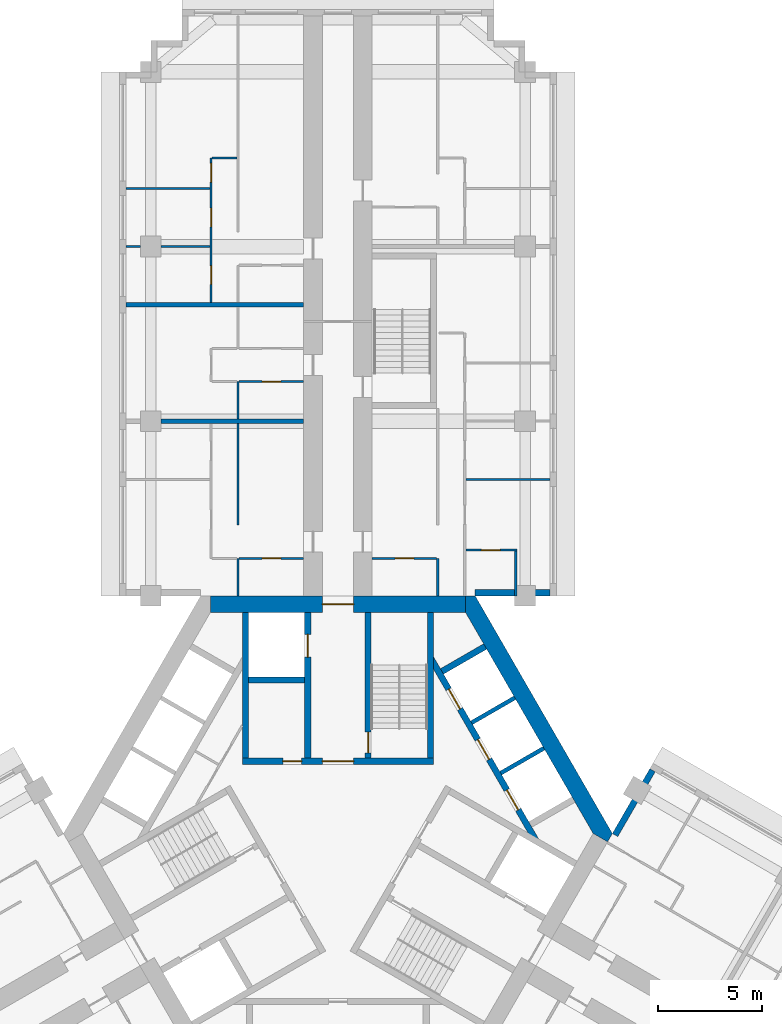
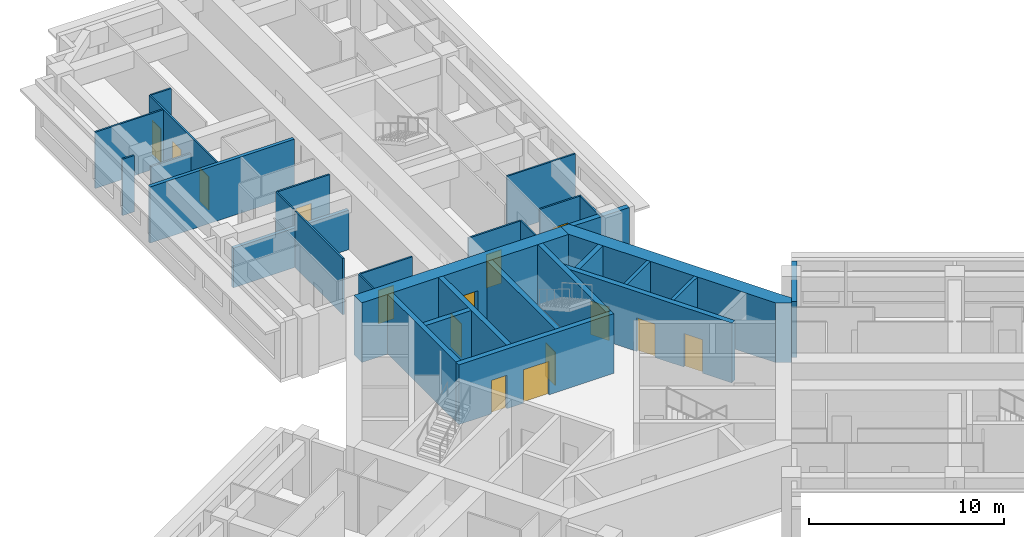
# One storey, part 8 of 13: 31 walls, 15 doors, 15 openings.
"""IFC4 building model written with IfcOpenShell, lengths in metres."""

from ifc_helpers import new_model, si_unit, direction, frame, frame_2d, origin, place, context, subcontext, project, spatial, polyline, rectangle, outline, extrude, material, layer, layer_set, type_object, element, fill, save


model = new_model("IFC4")

# Units and contexts
model_context = context("Model", 3, precision=1e-05, world=origin(), true_north=direction((0.0, 1.0)))
body_context = subcontext(model_context, "Body", "Model", "MODEL_VIEW")
ifc_project = project(units=[si_unit("LENGTHUNIT", "METRE"), si_unit("AREAUNIT", "SQUARE_METRE"), si_unit("VOLUMEUNIT", "CUBIC_METRE"), si_unit("PLANEANGLEUNIT", "RADIAN"), si_unit("MASSUNIT", "GRAM", prefix="KILO")], contexts=[model_context])

# Site, building, storey
site_placement = place(None, origin())
site = spatial("IfcSite", under=ifc_project, at=site_placement, CompositionType="ELEMENT")
building_placement = place(site_placement, origin())
building = spatial("IfcBuilding", under=site, at=building_placement, Name="Impinga Residences", CompositionType="ELEMENT")
storey_placement = place(building_placement, frame((0.0, 0.0, 136.0)))
storey = spatial("IfcBuildingStorey", under=building, at=storey_placement, Name="L33", CompositionType="ELEMENT", Elevation=136.0)

# Walls
ifc_material_1 = material(Name="Terracotta rainscreen on blockwork", Category="masonry")
ifc_layer_1 = layer(ifc_material_1, 0.300048828125)
ifc_layer_set_1 = layer_set([ifc_layer_1], Name="EW1 external wall, terracotta rainscreen on blockwork 300")
wall_type_1 = type_object("IfcWallType", Name="EW1 external wall, terracotta rainscreen on blockwork 300", PredefinedType="SOLIDWALL", material=ifc_layer_set_1)
wall_1_placement = place(storey_placement, frame((10.199951171875, 11.58154296875, 0.0), z_axis=(0.0, 0.0, 1.0), x_axis=(-1.0, 0.0, 0.0)))
element("IfcWall", 1, at=wall_1_placement, inside=storey, type_object=wall_type_1, Name="External wall EW1 L33", PredefinedType="SOLIDWALL", context=body_context, shape_type="SweptSolid", body=[
    extrude(rectangle(XDim=3.599853515625, YDim=0.300048828125, at=frame_2d((1.7998046875, 0.0))), origin(), (0.0, 0.0, 1.0), 3.530029296875),
])
wall_2_placement = place(storey_placement, frame((13.329833984375, -0.074951171875, 0.0), z_axis=(0.0, 0.0, 1.0), x_axis=(0.500012057535, 0.866018442252, 0.0)))
element("IfcWall", 2, at=wall_2_placement, inside=storey, type_object=wall_type_1, Name="External wall EW1 L33", PredefinedType="SOLIDWALL", context=body_context, shape_type="SweptSolid", body=[
    extrude(rectangle(XDim=3.60009765625, YDim=0.300048828125, at=frame_2d((1.800048828125, 0.0))), origin(), (0.0, 0.0, 1.0), 3.530029296875),
])
ifc_material_2 = material(Name="Gypsum board on steel studs", Category="steel")
ifc_layer_2 = layer(ifc_material_2, 0.10009765625)
ifc_layer_set_2 = layer_set([ifc_layer_2], Name="Gypsum board on steel studs")
wall_type_2 = type_object("IfcWallType", Name="IP1 partition 100", PredefinedType="PARTITIONING", material=ifc_layer_set_2)
wall_3_placement = place(storey_placement, frame((-4.800048828125, 11.431640625, 0.0), z_axis=(0.0, 0.0, 1.0), x_axis=(0.0, 1.0, 0.0)))
element("IfcWall", 3, at=wall_3_placement, inside=storey, type_object=wall_type_2, Name="Partition L33-NA1:DIV0", PredefinedType="PARTITIONING", context=body_context, shape_type="SweptSolid", body=[
    extrude(rectangle(XDim=1.7998046875, YDim=0.10009765625, at=frame_2d((0.89990234375, 0.0))), origin(), (0.0, 0.0, 1.0), 3.530029296875),
])
wall_4_placement = place(storey_placement, frame((-4.800048828125, 14.83154296875, 0.0), z_axis=(0.0, 0.0, 1.0), x_axis=(0.0, 1.0, 0.0)))
element("IfcWall", 4, at=wall_4_placement, inside=storey, type_object=wall_type_2, Name="Partition L33-NA1:DIV1", PredefinedType="PARTITIONING", context=body_context, shape_type="SweptSolid", body=[
    extrude(rectangle(XDim=4.89990234375, YDim=0.10009765625, at=frame_2d((2.449951171875, 0.0))), origin(), (0.0, 0.0, 1.0), 3.530029296875),
])

# Wall, opening, door
wall_5_placement = place(storey_placement, frame((-1.64990234375, 13.2314453125, 0.0), z_axis=(0.0, 0.0, 1.0), x_axis=(-1.0, 0.0, 0.0)))
wall_5 = element("IfcWall", 5, at=wall_5_placement, inside=storey, type_object=wall_type_2, Name="Partition L33-NA1:IB1", PredefinedType="PARTITIONING", context=body_context, shape_type="SweptSolid", body=[
    extrude(rectangle(XDim=3.10009765625, YDim=0.10009765625, at=frame_2d((1.550048828125, 0.0))), origin(), (0.0, 0.0, 1.0), 3.530029296875),
])
opening_1_placement = place(wall_5_placement, frame((1.10009765625, 0.0, 0.0)))
opening_1 = element("IfcOpeningElement", 6, at=opening_1_placement, cuts=wall_5, Name="Opening D2", PredefinedType="OPENING", context=body_context, shape_type="SweptSolid", body=[
    extrude(rectangle(XDim=0.89990234375, YDim=2.10009765625, at=frame_2d((0.449951171875, 1.050048828125))), frame((0.0, 0.06005859375, 0.0), z_axis=(0.0, -1.0, 0.0), x_axis=(1.0, 0.0, 0.0)), (0.0, 0.0, 1.0), 0.1201171875),
])
ifc_material_3 = material(Name="Timber door set", Category="wood")
door_type_1 = type_object("IfcDoorType", Name="D2 internal door 900x2100", OperationType="SINGLE_SWING_LEFT", PredefinedType="DOOR", material=ifc_material_3)
door_1_placement = place(opening_1_placement, origin())
door_1 = element("IfcDoor", 7, at=door_1_placement, inside=storey, type_object=door_type_1, Name="Apartment L33-NA1 bathroom door", OperationType="SINGLE_SWING_LEFT", OverallHeight=2.10009765625, OverallWidth=0.89990234375, PredefinedType="DOOR", context=body_context, shape_type="SweptSolid", body=[
    extrude(rectangle(XDim=0.89990234375, YDim=2.10009765625, at=frame_2d((0.449951171875, 1.050048828125))), frame((0.0, 0.02490234375, 0.0), z_axis=(0.0, -1.0, 0.0), x_axis=(1.0, 0.0, 0.0)), (0.0, 0.0, 1.0), 0.050048828125),
])
fill(opening_1, door_1)

# Wall
wall_6_placement = place(storey_placement, frame((-4.800048828125, 19.931640625, 0.0), z_axis=(0.0, 0.0, 1.0), x_axis=(0.0, 1.0, 0.0)))
element("IfcWall", 8, at=wall_6_placement, inside=storey, type_object=wall_type_2, Name="Partition L33-NA2:DIV0", PredefinedType="PARTITIONING", context=body_context, shape_type="SweptSolid", body=[
    extrude(rectangle(XDim=1.7998046875, YDim=0.10009765625, at=frame_2d((0.89990234375, 0.0))), origin(), (0.0, 0.0, 1.0), 3.530029296875),
])

# Wall, opening, door
wall_7_placement = place(storey_placement, frame((-1.64990234375, 21.7314453125, 0.0), z_axis=(0.0, 0.0, 1.0), x_axis=(-1.0, 0.0, 0.0)))
wall_7 = element("IfcWall", 9, at=wall_7_placement, inside=storey, type_object=wall_type_2, Name="Partition L33-NA2:IB1", PredefinedType="PARTITIONING", context=body_context, shape_type="SweptSolid", body=[
    extrude(rectangle(XDim=3.10009765625, YDim=0.10009765625, at=frame_2d((1.550048828125, 0.0))), origin(), (0.0, 0.0, 1.0), 3.530029296875),
])
opening_2_placement = place(wall_7_placement, frame((1.10009765625, 0.0, 0.0)))
opening_2 = element("IfcOpeningElement", 10, at=opening_2_placement, cuts=wall_7, Name="Opening D2", PredefinedType="OPENING", context=body_context, shape_type="SweptSolid", body=[
    extrude(rectangle(XDim=0.89990234375, YDim=2.10009765625, at=frame_2d((0.449951171875, 1.050048828125))), frame((0.0, 0.06005859375, 0.0), z_axis=(0.0, -1.0, 0.0), x_axis=(1.0, 0.0, 0.0)), (0.0, 0.0, 1.0), 0.1201171875),
])
door_2_placement = place(opening_2_placement, origin())
door_2 = element("IfcDoor", 11, at=door_2_placement, inside=storey, type_object=door_type_1, Name="Apartment L33-NA2 bathroom door", OperationType="SINGLE_SWING_LEFT", OverallHeight=2.10009765625, OverallWidth=0.89990234375, PredefinedType="DOOR", context=body_context, shape_type="SweptSolid", body=[
    extrude(rectangle(XDim=0.89990234375, YDim=2.10009765625, at=frame_2d((0.449951171875, 1.050048828125))), frame((0.0, 0.02490234375, 0.0), z_axis=(0.0, -1.0, 0.0), x_axis=(1.0, 0.0, 0.0)), (0.0, 0.0, 1.0), 0.050048828125),
])
fill(opening_2, door_2)

# Wall, openings, doors
wall_8_placement = place(storey_placement, frame((-6.10009765625, 25.531494140625, 0.0), z_axis=(0.0, 0.0, 1.0), x_axis=(0.0, 1.0, 0.0)))
wall_8 = element("IfcWall", 12, at=wall_8_placement, inside=storey, type_object=wall_type_2, Name="Partition L33-NA3:STRIP", PredefinedType="PARTITIONING", context=body_context, shape_type="SweptSolid", body=[
    extrude(rectangle(XDim=6.949951171875, YDim=0.10009765625, at=frame_2d((3.47509765625, 0.0))), origin(), (0.0, 0.0, 1.0), 3.530029296875),
])
opening_3_placement = place(wall_8_placement, frame((0.875, 0.0, 0.0)))
opening_3 = element("IfcOpeningElement", 13, at=opening_3_placement, cuts=wall_8, Name="Opening D2", PredefinedType="OPENING", context=body_context, shape_type="SweptSolid", body=[
    extrude(rectangle(XDim=0.89990234375, YDim=2.10009765625, at=frame_2d((0.449951171875, 1.050048828125))), frame((0.0, 0.06005859375, 0.0), z_axis=(0.0, -1.0, 0.0), x_axis=(1.0, 0.0, 0.0)), (0.0, 0.0, 1.0), 0.1201171875),
])
opening_4_placement = place(wall_8_placement, frame((3.64990234375, 0.0, 0.0)))
opening_4 = element("IfcOpeningElement", 14, at=opening_4_placement, cuts=wall_8, Name="Opening D2", PredefinedType="OPENING", context=body_context, shape_type="SweptSolid", body=[
    extrude(rectangle(XDim=0.89990234375, YDim=2.10009765625, at=frame_2d((0.449951171875, 1.050048828125))), frame((0.0, 0.06005859375, 0.0), z_axis=(0.0, -1.0, 0.0), x_axis=(1.0, 0.0, 0.0)), (0.0, 0.0, 1.0), 0.1201171875),
])
opening_5_placement = place(wall_8_placement, frame((5.800048828125, 0.0, 0.0)))
opening_5 = element("IfcOpeningElement", 15, at=opening_5_placement, cuts=wall_8, Name="Opening D2", PredefinedType="OPENING", context=body_context, shape_type="SweptSolid", body=[
    extrude(rectangle(XDim=0.89990234375, YDim=2.10009765625, at=frame_2d((0.449951171875, 1.050048828125))), frame((0.0, 0.06005859375, 0.0), z_axis=(0.0, -1.0, 0.0), x_axis=(1.0, 0.0, 0.0)), (0.0, 0.0, 1.0), 0.1201171875),
])
door_3_placement = place(opening_3_placement, origin())
door_3 = element("IfcDoor", 16, at=door_3_placement, inside=storey, type_object=door_type_1, Name="Apartment L33-NA3 room door", OperationType="SINGLE_SWING_LEFT", OverallHeight=2.10009765625, OverallWidth=0.89990234375, PredefinedType="DOOR", context=body_context, shape_type="SweptSolid", body=[
    extrude(rectangle(XDim=0.89990234375, YDim=2.10009765625, at=frame_2d((0.449951171875, 1.050048828125))), frame((0.0, 0.02490234375, 0.0), z_axis=(0.0, -1.0, 0.0), x_axis=(1.0, 0.0, 0.0)), (0.0, 0.0, 1.0), 0.050048828125),
])
fill(opening_3, door_3)
door_4_placement = place(opening_4_placement, origin())
door_4 = element("IfcDoor", 17, at=door_4_placement, inside=storey, type_object=door_type_1, Name="Apartment L33-NA3 room door", OperationType="SINGLE_SWING_RIGHT", OverallHeight=2.10009765625, OverallWidth=0.89990234375, PredefinedType="DOOR", context=body_context, shape_type="SweptSolid", body=[
    extrude(rectangle(XDim=0.89990234375, YDim=2.10009765625, at=frame_2d((0.449951171875, 1.050048828125))), frame((0.0, 0.02490234375, 0.0), z_axis=(0.0, -1.0, 0.0), x_axis=(1.0, 0.0, 0.0)), (0.0, 0.0, 1.0), 0.050048828125),
])
fill(opening_4, door_4)
door_5_placement = place(opening_5_placement, origin())
door_5 = element("IfcDoor", 18, at=door_5_placement, inside=storey, type_object=door_type_1, Name="Apartment L33-NA3 room door", OperationType="SINGLE_SWING_RIGHT", OverallHeight=2.10009765625, OverallWidth=0.89990234375, PredefinedType="DOOR", context=body_context, shape_type="SweptSolid", body=[
    extrude(rectangle(XDim=0.89990234375, YDim=2.10009765625, at=frame_2d((0.449951171875, 1.050048828125))), frame((0.0, 0.02490234375, 0.0), z_axis=(0.0, -1.0, 0.0), x_axis=(1.0, 0.0, 0.0)), (0.0, 0.0, 1.0), 0.050048828125),
])
fill(opening_5, door_5)

# Walls
wall_9_placement = place(storey_placement, frame((-4.85009765625, 32.4814453125, 0.0), z_axis=(0.0, 0.0, 1.0), x_axis=(-1.0, 0.0, 0.0)))
element("IfcWall", 19, at=wall_9_placement, inside=storey, type_object=wall_type_2, Name="Partition L33-NA3:SE1", PredefinedType="PARTITIONING", context=body_context, shape_type="SweptSolid", body=[
    extrude(rectangle(XDim=1.199951171875, YDim=0.10009765625, at=frame_2d((0.60009765625, 0.0))), origin(), (0.0, 0.0, 1.0), 3.530029296875),
])
wall_10_placement = place(storey_placement, frame((-6.14990234375, 28.2314453125, 0.0), z_axis=(0.0, 0.0, 1.0), x_axis=(-1.0, 0.0, 0.0)))
element("IfcWall", 20, at=wall_10_placement, inside=storey, type_object=wall_type_2, Name="Partition L33-NA3:OB1", PredefinedType="PARTITIONING", context=body_context, shape_type="SweptSolid", body=[
    extrude(rectangle(XDim=2.35009765625, YDim=0.10009765625, at=frame_2d((1.175048828125, 0.0))), origin(), (0.0, 0.0, 1.0), 2.47998046875),
])
wall_11_placement = place(storey_placement, frame((-9.5, 28.2314453125, 0.0), z_axis=(0.0, 0.0, 1.0), x_axis=(-1.0, 0.0, 0.0)))
element("IfcWall", 21, at=wall_11_placement, inside=storey, type_object=wall_type_2, Name="Partition L33-NA3:OB1b", PredefinedType="PARTITIONING", context=body_context, shape_type="SweptSolid", body=[
    extrude(rectangle(XDim=0.699951171875, YDim=0.10009765625, at=frame_2d((0.35009765625, 0.0))), origin(), (0.0, 0.0, 1.0), 3.530029296875),
])
wall_12_placement = place(storey_placement, frame((-6.14990234375, 31.031494140625, 0.0), z_axis=(0.0, 0.0, 1.0), x_axis=(-1.0, 0.0, 0.0)))
element("IfcWall", 22, at=wall_12_placement, inside=storey, type_object=wall_type_2, Name="Partition L33-NA3:OB2", PredefinedType="PARTITIONING", context=body_context, shape_type="SweptSolid", body=[
    extrude(rectangle(XDim=4.050048828125, YDim=0.10009765625, at=frame_2d((2.02490234375, 0.0))), origin(), (0.0, 0.0, 1.0), 3.530029296875),
])
wall_13_placement = place(storey_placement, frame((4.800048828125, 11.431640625, 0.0), z_axis=(0.0, 0.0, 1.0), x_axis=(0.0, 1.0, 0.0)))
element("IfcWall", 23, at=wall_13_placement, inside=storey, type_object=wall_type_2, Name="Partition L33-NF1:DIV0", PredefinedType="PARTITIONING", context=body_context, shape_type="SweptSolid", body=[
    extrude(rectangle(XDim=1.7998046875, YDim=0.10009765625, at=frame_2d((0.89990234375, 0.0))), origin(), (0.0, 0.0, 1.0), 3.530029296875),
])

# Wall, opening, door
wall_14_placement = place(storey_placement, frame((1.64990234375, 13.2314453125, 0.0), z_axis=(0.0, 0.0, 1.0), x_axis=(1.0, 0.0, 0.0)))
wall_14 = element("IfcWall", 24, at=wall_14_placement, inside=storey, type_object=wall_type_2, Name="Partition L33-NF1:IB1", PredefinedType="PARTITIONING", context=body_context, shape_type="SweptSolid", body=[
    extrude(rectangle(XDim=3.10009765625, YDim=0.10009765625, at=frame_2d((1.550048828125, 0.0))), origin(), (0.0, 0.0, 1.0), 3.530029296875),
])
opening_6_placement = place(wall_14_placement, frame((1.10009765625, 0.0, 0.0)))
opening_6 = element("IfcOpeningElement", 25, at=opening_6_placement, cuts=wall_14, Name="Opening D2", PredefinedType="OPENING", context=body_context, shape_type="SweptSolid", body=[
    extrude(rectangle(XDim=0.89990234375, YDim=2.10009765625, at=frame_2d((0.449951171875, 1.050048828125))), frame((0.0, 0.06005859375, 0.0), z_axis=(0.0, -1.0, 0.0), x_axis=(1.0, 0.0, 0.0)), (0.0, 0.0, 1.0), 0.1201171875),
])
door_6_placement = place(opening_6_placement, origin())
door_6 = element("IfcDoor", 26, at=door_6_placement, inside=storey, type_object=door_type_1, Name="Apartment L33-NF1 bathroom door", OperationType="SINGLE_SWING_LEFT", OverallHeight=2.10009765625, OverallWidth=0.89990234375, PredefinedType="DOOR", context=body_context, shape_type="SweptSolid", body=[
    extrude(rectangle(XDim=0.89990234375, YDim=2.10009765625, at=frame_2d((0.449951171875, 1.050048828125))), frame((0.0, 0.02490234375, 0.0), z_axis=(0.0, -1.0, 0.0), x_axis=(1.0, 0.0, 0.0)), (0.0, 0.0, 1.0), 0.050048828125),
])
fill(opening_6, door_6)

# Wall
wall_15_placement = place(storey_placement, frame((6.14990234375, 17.031494140625, 0.0), z_axis=(0.0, 0.0, 1.0), x_axis=(1.0, 0.0, 0.0)))
element("IfcWall", 27, at=wall_15_placement, inside=storey, type_object=wall_type_2, Name="Partition L33-NF1:OB1", PredefinedType="PARTITIONING", context=body_context, shape_type="SweptSolid", body=[
    extrude(rectangle(XDim=4.050048828125, YDim=0.10009765625, at=frame_2d((2.02490234375, 0.0))), origin(), (0.0, 0.0, 1.0), 3.530029296875),
])

# Wall, opening, door
wall_16_placement = place(storey_placement, frame((6.14990234375, 13.631591796875, 0.0), z_axis=(0.0, 0.0, 1.0), x_axis=(1.0, 0.0, 0.0)))
wall_16 = element("IfcWall", 28, at=wall_16_placement, inside=storey, type_object=wall_type_2, Name="Partition L33-NF1:EN1", PredefinedType="PARTITIONING", context=body_context, shape_type="SweptSolid", body=[
    extrude(rectangle(XDim=2.4501953125, YDim=0.10009765625, at=frame_2d((1.22509765625, 0.0))), origin(), (0.0, 0.0, 1.0), 3.530029296875),
])
opening_7_placement = place(wall_16_placement, frame((0.75, 0.0, 0.0)))
opening_7 = element("IfcOpeningElement", 29, at=opening_7_placement, cuts=wall_16, Name="Opening D2", PredefinedType="OPENING", context=body_context, shape_type="SweptSolid", body=[
    extrude(rectangle(XDim=0.89990234375, YDim=2.10009765625, at=frame_2d((0.449951171875, 1.050048828125))), frame((0.0, 0.06005859375, 0.0), z_axis=(0.0, -1.0, 0.0), x_axis=(1.0, 0.0, 0.0)), (0.0, 0.0, 1.0), 0.1201171875),
])
door_7_placement = place(opening_7_placement, origin())
door_7 = element("IfcDoor", 30, at=door_7_placement, inside=storey, type_object=door_type_1, Name="Apartment L33-NF1 en-suite door", OperationType="SINGLE_SWING_LEFT", OverallHeight=2.10009765625, OverallWidth=0.89990234375, PredefinedType="DOOR", context=body_context, shape_type="SweptSolid", body=[
    extrude(rectangle(XDim=0.89990234375, YDim=2.10009765625, at=frame_2d((0.449951171875, 1.050048828125))), frame((0.0, 0.02490234375, 0.0), z_axis=(0.0, -1.0, 0.0), x_axis=(1.0, 0.0, 0.0)), (0.0, 0.0, 1.0), 0.050048828125),
])
fill(opening_7, door_7)

# Walls
wall_17_placement = place(storey_placement, frame((8.550048828125, 11.431640625, 0.0), z_axis=(0.0, 0.0, 1.0), x_axis=(0.0, 1.0, 0.0)))
element("IfcWall", 31, at=wall_17_placement, inside=storey, type_object=wall_type_2, Name="Partition L33-NF1:EN2", PredefinedType="PARTITIONING", context=body_context, shape_type="SweptSolid", body=[
    extrude(rectangle(XDim=2.14990234375, YDim=0.10009765625, at=frame_2d((1.074951171875, 0.0))), origin(), (0.0, 0.0, 1.0), 3.530029296875),
])
ifc_material_4 = material(Name="Concrete blockwork", Category="masonry")
ifc_layer_3 = layer(ifc_material_4, 0.199951171875)
ifc_layer_set_3 = layer_set([ifc_layer_3], Name="PW1 party wall between apartments 200")
wall_type_3 = type_object("IfcWallType", Name="PW1 party wall between apartments 200", PredefinedType="SOLIDWALL", material=ifc_layer_set_3)
wall_18_placement = place(storey_placement, frame((-1.64990234375, 19.83154296875, 0.0), z_axis=(0.0, 0.0, 1.0), x_axis=(-1.0, 0.0, 0.0)))
element("IfcWall", 32, at=wall_18_placement, inside=storey, type_object=wall_type_3, Name="Party wall between apartments L33-NA1:PARTY", PredefinedType="SOLIDWALL", context=body_context, shape_type="SweptSolid", body=[
    extrude(rectangle(XDim=6.85009765625, YDim=0.199951171875, at=frame_2d((3.425048828125, 0.0))), origin(), (0.0, 0.0, 1.0), 2.47998046875),
])
wall_19_placement = place(storey_placement, frame((-1.64990234375, 25.431640625, 0.0), z_axis=(0.0, 0.0, 1.0), x_axis=(-1.0, 0.0, 0.0)))
element("IfcWall", 33, at=wall_19_placement, inside=storey, type_object=wall_type_3, Name="Party wall between apartments L33-NA2:PARTY", PredefinedType="SOLIDWALL", context=body_context, shape_type="SweptSolid", body=[
    extrude(rectangle(XDim=8.550048828125, YDim=0.199951171875, at=frame_2d((4.27490234375, 0.0))), origin(), (0.0, 0.0, 1.0), 3.530029296875),
])

# Wall, opening, door
ifc_material_5 = material(Name="Concrete C60/75", Category="concrete")
ifc_layer_4 = layer(ifc_material_5, 0.800048828125)
ifc_layer_set_4 = layer_set([ifc_layer_4], Name="Concrete C60/75")
wall_type_4 = type_object("IfcWallType", Name="SW2 core wall 800", PredefinedType="SHEAR", material=ifc_layer_set_4)
wall_20_placement = place(storey_placement, frame((-6.13818359375, 11.031494140625, 0.0), z_axis=(0.0, 0.0, 1.0), x_axis=(1.0, 0.0, 0.0)))
wall_20 = element("IfcWall", 34, at=wall_20_placement, inside=storey, type_object=wall_type_4, Name="Core wall SW2 N:FACE L33", PredefinedType="SHEAR", context=body_context, shape_type="SweptSolid", body=[
    extrude(rectangle(XDim=12.2763671875, YDim=0.800048828125, at=frame_2d((6.13818359375, 0.0))), origin(), (0.0, 0.0, 1.0), 3.75),
])
opening_8_placement = place(wall_20_placement, frame((5.38818359375, 0.0, 0.0)))
opening_8 = element("IfcOpeningElement", 35, at=opening_8_placement, cuts=wall_20, Name="Opening D4", PredefinedType="OPENING", context=body_context, shape_type="SweptSolid", body=[
    extrude(rectangle(XDim=1.5, YDim=2.10009765625, at=frame_2d((0.75, 1.050048828125))), frame((0.0, 0.409912109375, 0.0), z_axis=(0.0, -1.0, 0.0), x_axis=(1.0, 0.0, 0.0)), (0.0, 0.0, 1.0), 0.820068359375),
])
door_type_2 = type_object("IfcDoorType", Name="D4 lobby door pair 1500x2100", OperationType="DOUBLE_DOOR_DOUBLE_SWING", PredefinedType="DOOR", material=ifc_material_3)
door_8_placement = place(opening_8_placement, origin())
door_8 = element("IfcDoor", 36, at=door_8_placement, inside=storey, type_object=door_type_2, Name="Lobby door N", OperationType="DOUBLE_DOOR_DOUBLE_SWING", OverallHeight=2.10009765625, OverallWidth=1.5, PredefinedType="DOOR", context=body_context, shape_type="SweptSolid", body=[
    extrude(rectangle(XDim=1.5, YDim=2.10009765625, at=frame_2d((0.75, 1.050048828125))), frame((0.0, 0.02490234375, 0.0), z_axis=(0.0, -1.0, 0.0), x_axis=(1.0, 0.0, 0.0)), (0.0, 0.0, 1.0), 0.050048828125),
])
fill(opening_8, door_8)

# Wall
wall_21_placement = place(storey_placement, origin())
element("IfcWall", 37, at=wall_21_placement, inside=storey, type_object=wall_type_4, Name="Core wall SW2 W:EXPOSED L33", PredefinedType="SHEAR", context=body_context, shape_type="SweptSolid", body=[
    extrude(outline(polyline([(13.199951171875, 0.0), (6.60009765625, 11.431640625), (6.13818359375, 11.431640625), (6.13818359375, 10.631591796875), (12.276123046875, 0.0), (12.968994140625, -0.39990234375), (13.199951171875, 0.0)])), origin(), (0.0, 0.0, 1.0), 3.75),
])

# Wall, openings, doors
ifc_material_6 = material(Name="Concrete C70/85", Category="concrete")
ifc_layer_5 = layer(ifc_material_6, 0.300048828125)
ifc_layer_set_5 = layer_set([ifc_layer_5], Name="Concrete C70/85")
wall_type_5 = type_object("IfcWallType", Name="SW5 core inner wall, stairs, shafts and lobbies 300", PredefinedType="SHEAR", material=ifc_layer_set_5)
wall_22_placement = place(storey_placement, frame((-4.60009765625, 3.47998046875, 0.0), z_axis=(0.0, 0.0, 1.0), x_axis=(1.0, 0.0, 0.0)))
wall_22 = element("IfcWall", 38, at=wall_22_placement, inside=storey, type_object=wall_type_5, Name="Core wall SW5 N:ZONE L33", PredefinedType="SHEAR", context=body_context, shape_type="SweptSolid", body=[
    extrude(rectangle(XDim=9.2001953125, YDim=0.300048828125, at=frame_2d((4.60009765625, 0.0))), origin(), (0.0, 0.0, 1.0), 3.75),
])
opening_9_placement = place(wall_22_placement, frame((3.85009765625, 0.0, 0.0)))
opening_9 = element("IfcOpeningElement", 39, at=opening_9_placement, cuts=wall_22, Name="Opening D4", PredefinedType="OPENING", context=body_context, shape_type="SweptSolid", body=[
    extrude(rectangle(XDim=1.5, YDim=2.10009765625, at=frame_2d((0.75, 1.050048828125))), frame((0.0, 0.159912109375, 0.0), z_axis=(0.0, -1.0, 0.0), x_axis=(1.0, 0.0, 0.0)), (0.0, 0.0, 1.0), 0.320068359375),
])
opening_10_placement = place(wall_22_placement, frame((1.949951171875, 0.0, 0.0)))
opening_10 = element("IfcOpeningElement", 40, at=opening_10_placement, cuts=wall_22, Name="Opening D6", PredefinedType="OPENING", context=body_context, shape_type="SweptSolid", body=[
    extrude(rectangle(XDim=0.89990234375, YDim=2.10009765625, at=frame_2d((0.449951171875, 1.050048828125))), frame((0.0, 0.159912109375, 0.0), z_axis=(0.0, -1.0, 0.0), x_axis=(1.0, 0.0, 0.0)), (0.0, 0.0, 1.0), 0.320068359375),
])
door_9_placement = place(opening_9_placement, origin())
door_9 = element("IfcDoor", 41, at=door_9_placement, inside=storey, type_object=door_type_2, Name="Firefighting lobby door N", OperationType="DOUBLE_DOOR_DOUBLE_SWING", OverallHeight=2.10009765625, OverallWidth=1.5, PredefinedType="DOOR", context=body_context, shape_type="SweptSolid", body=[
    extrude(rectangle(XDim=1.5, YDim=2.10009765625, at=frame_2d((0.75, 1.050048828125))), frame((0.0, 0.02490234375, 0.0), z_axis=(0.0, -1.0, 0.0), x_axis=(1.0, 0.0, 0.0)), (0.0, 0.0, 1.0), 0.050048828125),
])
fill(opening_9, door_9)
door_type_3 = type_object("IfcDoorType", Name="D6 riser and store door 900x2100", OperationType="SINGLE_SWING_LEFT", PredefinedType="DOOR", material=ifc_material_3)
door_10_placement = place(opening_10_placement, origin())
door_10 = element("IfcDoor", 42, at=door_10_placement, inside=storey, type_object=door_type_3, Name="Riser door N", OperationType="SINGLE_SWING_LEFT", OverallHeight=2.10009765625, OverallWidth=0.89990234375, PredefinedType="DOOR", context=body_context, shape_type="SweptSolid", body=[
    extrude(rectangle(XDim=0.89990234375, YDim=2.10009765625, at=frame_2d((0.449951171875, 1.050048828125))), frame((0.0, 0.02490234375, 0.0), z_axis=(0.0, -1.0, 0.0), x_axis=(1.0, 0.0, 0.0)), (0.0, 0.0, 1.0), 0.050048828125),
])
fill(opening_10, door_10)

# Wall, opening, door
wall_23_placement = place(storey_placement, frame((1.449951171875, 3.6298828125, 0.0), z_axis=(0.0, 0.0, 1.0), x_axis=(0.0, 1.0, 0.0)))
wall_23 = element("IfcWall", 43, at=wall_23_placement, inside=storey, type_object=wall_type_5, Name="Core wall SW5 N:ST-IN L33", PredefinedType="SHEAR", context=body_context, shape_type="SweptSolid", body=[
    extrude(rectangle(XDim=7.001708984375, YDim=0.300048828125, at=frame_2d((3.5009765625, 0.0))), origin(), (0.0, 0.0, 1.0), 3.75),
])
opening_11_placement = place(wall_23_placement, frame((0.25, 0.0, 0.0)))
opening_11 = element("IfcOpeningElement", 44, at=opening_11_placement, cuts=wall_23, Name="Opening D5", PredefinedType="OPENING", context=body_context, shape_type="SweptSolid", body=[
    extrude(rectangle(XDim=1.0, YDim=2.10009765625, at=frame_2d((0.5, 1.050048828125))), frame((0.0, 0.159912109375, 0.0), z_axis=(0.0, -1.0, 0.0), x_axis=(1.0, 0.0, 0.0)), (0.0, 0.0, 1.0), 0.320068359375),
])
door_type_4 = type_object("IfcDoorType", Name="D5 stair door 1000x2100", OperationType="SINGLE_SWING_LEFT", PredefinedType="DOOR", material=ifc_material_3)
door_11_placement = place(opening_11_placement, origin())
door_11 = element("IfcDoor", 45, at=door_11_placement, inside=storey, type_object=door_type_4, Name="Stair door N", OperationType="SINGLE_SWING_LEFT", OverallHeight=2.10009765625, OverallWidth=1.0, PredefinedType="DOOR", context=body_context, shape_type="SweptSolid", body=[
    extrude(rectangle(XDim=1.0, YDim=2.10009765625, at=frame_2d((0.5, 1.050048828125))), frame((0.0, 0.02490234375, 0.0), z_axis=(0.0, -1.0, 0.0), x_axis=(1.0, 0.0, 0.0)), (0.0, 0.0, 1.0), 0.050048828125),
])
fill(opening_11, door_11)

# Wall
wall_24_placement = place(storey_placement, frame((4.449951171875, 3.6298828125, 0.0), z_axis=(0.0, 0.0, 1.0), x_axis=(0.0, 1.0, 0.0)))
element("IfcWall", 46, at=wall_24_placement, inside=storey, type_object=wall_type_5, Name="Core wall SW5 N:ST-OUT L33", PredefinedType="SHEAR", context=body_context, shape_type="SweptSolid", body=[
    extrude(rectangle(XDim=7.001708984375, YDim=0.300048828125, at=frame_2d((3.5009765625, 0.0))), origin(), (0.0, 0.0, 1.0), 3.75),
])

# Wall, opening, door
wall_25_placement = place(storey_placement, frame((-1.449951171875, 3.6298828125, 0.0), z_axis=(0.0, 0.0, 1.0), x_axis=(0.0, 1.0, 0.0)))
wall_25 = element("IfcWall", 47, at=wall_25_placement, inside=storey, type_object=wall_type_5, Name="Core wall SW5 N:FF-IN L33", PredefinedType="SHEAR", context=body_context, shape_type="SweptSolid", body=[
    extrude(rectangle(XDim=7.001708984375, YDim=0.300048828125, at=frame_2d((3.5009765625, 0.0))), origin(), (0.0, 0.0, 1.0), 3.75),
])
opening_12_placement = place(wall_25_placement, frame((4.85009765625, 0.0, 0.0)))
opening_12 = element("IfcOpeningElement", 48, at=opening_12_placement, cuts=wall_25, Name="Opening LD2", PredefinedType="OPENING", context=body_context, shape_type="SweptSolid", body=[
    extrude(rectangle(XDim=1.10009765625, YDim=2.10009765625, at=frame_2d((0.550048828125, 1.050048828125))), frame((0.0, 0.159912109375, 0.0), z_axis=(0.0, -1.0, 0.0), x_axis=(1.0, 0.0, 0.0)), (0.0, 0.0, 1.0), 0.320068359375),
])
ifc_material_7 = material(Name="Steel lift landing door", Category="steel")
door_type_5 = type_object("IfcDoorType", Name="LD2 firefighting lift landing door 1100x2100", OperationType="DOUBLE_DOOR_SLIDING", PredefinedType="DOOR", material=ifc_material_7)
door_12_placement = place(opening_12_placement, origin())
door_12 = element("IfcDoor", 49, at=door_12_placement, inside=storey, type_object=door_type_5, Name="Firefighting lift landing door F1", OperationType="DOUBLE_DOOR_SLIDING", OverallHeight=2.10009765625, OverallWidth=1.10009765625, PredefinedType="DOOR", context=body_context, shape_type="SweptSolid", body=[
    extrude(rectangle(XDim=1.10009765625, YDim=2.10009765625, at=frame_2d((0.550048828125, 1.050048828125))), frame((0.0, 0.02490234375, 0.0), z_axis=(0.0, -1.0, 0.0), x_axis=(1.0, 0.0, 0.0)), (0.0, 0.0, 1.0), 0.050048828125),
])
fill(opening_12, door_12)

# Walls
wall_26_placement = place(storey_placement, frame((-4.449951171875, 3.6298828125, 0.0), z_axis=(0.0, 0.0, 1.0), x_axis=(0.0, 1.0, 0.0)))
element("IfcWall", 50, at=wall_26_placement, inside=storey, type_object=wall_type_5, Name="Core wall SW5 N:FF-OUT L33", PredefinedType="SHEAR", context=body_context, shape_type="SweptSolid", body=[
    extrude(rectangle(XDim=7.001708984375, YDim=0.300048828125, at=frame_2d((3.5009765625, 0.0))), origin(), (0.0, 0.0, 1.0), 3.75),
])
wall_27_placement = place(storey_placement, frame((-4.300048828125, 7.3798828125, 0.0), z_axis=(0.0, 0.0, 1.0), x_axis=(1.0, 0.0, 0.0)))
element("IfcWall", 51, at=wall_27_placement, inside=storey, type_object=wall_type_5, Name="Core wall SW5 N:FF-RS L33", PredefinedType="SHEAR", context=body_context, shape_type="SweptSolid", body=[
    extrude(rectangle(XDim=2.699951171875, YDim=0.300048828125, at=frame_2d((1.35009765625, 0.0))), origin(), (0.0, 0.0, 1.0), 3.75),
])

# Wall, openings, doors
wall_28_placement = place(storey_placement, frame((4.449951171875, 8.455322265625, 0.0), z_axis=(0.0, 0.0, 1.0), x_axis=(0.500002290144, -0.866024081565, 0.0)))
wall_28 = element("IfcWall", 52, at=wall_28_placement, inside=storey, type_object=wall_type_5, Name="Core wall SW5 W:BANK-FRONT L33", PredefinedType="SHEAR", context=body_context, shape_type="SweptSolid", body=[
    extrude(rectangle(XDim=10.1953125, YDim=0.300048828125, at=frame_2d((5.09765625, 0.0))), origin(), (0.0, 0.0, 1.0), 3.75),
])
opening_13_placement = place(wall_28_placement, frame((1.74755859375, 0.0, 0.0)))
opening_13 = element("IfcOpeningElement", 53, at=opening_13_placement, cuts=wall_28, Name="Opening LD1", PredefinedType="OPENING", context=body_context, shape_type="SweptSolid", body=[
    extrude(rectangle(XDim=1.10009765625, YDim=2.10009765625, at=frame_2d((0.550048828125, 1.050048828125))), frame((0.0, 0.159912109375, 0.0), z_axis=(0.0, -1.0, 0.0), x_axis=(1.0, 0.0, 0.0)), (0.0, 0.0, 1.0), 0.320068359375),
])
opening_14_placement = place(wall_28_placement, frame((4.547607421875, 0.0, 0.0)))
opening_14 = element("IfcOpeningElement", 54, at=opening_14_placement, cuts=wall_28, Name="Opening LD1", PredefinedType="OPENING", context=body_context, shape_type="SweptSolid", body=[
    extrude(rectangle(XDim=1.10009765625, YDim=2.10009765625, at=frame_2d((0.550048828125, 1.050048828125))), frame((0.0, 0.159912109375, 0.0), z_axis=(0.0, -1.0, 0.0), x_axis=(1.0, 0.0, 0.0)), (0.0, 0.0, 1.0), 0.320068359375),
])
opening_15_placement = place(wall_28_placement, frame((7.34765625, 0.0, 0.0)))
opening_15 = element("IfcOpeningElement", 55, at=opening_15_placement, cuts=wall_28, Name="Opening LD1", PredefinedType="OPENING", context=body_context, shape_type="SweptSolid", body=[
    extrude(rectangle(XDim=1.10009765625, YDim=2.10009765625, at=frame_2d((0.550048828125, 1.050048828125))), frame((0.0, 0.159912109375, 0.0), z_axis=(0.0, -1.0, 0.0), x_axis=(1.0, 0.0, 0.0)), (0.0, 0.0, 1.0), 0.320068359375),
])
door_type_6 = type_object("IfcDoorType", Name="LD1 passenger lift landing door 1100x2100", OperationType="DOUBLE_DOOR_SLIDING", PredefinedType="DOOR", material=ifc_material_7)
door_13_placement = place(opening_13_placement, origin())
door_13 = element("IfcDoor", 56, at=door_13_placement, inside=storey, type_object=door_type_6, Name="Lift landing door P4", OperationType="DOUBLE_DOOR_SLIDING", OverallHeight=2.10009765625, OverallWidth=1.10009765625, PredefinedType="DOOR", context=body_context, shape_type="SweptSolid", body=[
    extrude(rectangle(XDim=1.10009765625, YDim=2.10009765625, at=frame_2d((0.550048828125, 1.050048828125))), frame((0.0, 0.02490234375, 0.0), z_axis=(0.0, -1.0, 0.0), x_axis=(1.0, 0.0, 0.0)), (0.0, 0.0, 1.0), 0.050048828125),
])
fill(opening_13, door_13)
door_14_placement = place(opening_14_placement, origin())
door_14 = element("IfcDoor", 57, at=door_14_placement, inside=storey, type_object=door_type_6, Name="Lift landing door P5", OperationType="DOUBLE_DOOR_SLIDING", OverallHeight=2.10009765625, OverallWidth=1.10009765625, PredefinedType="DOOR", context=body_context, shape_type="SweptSolid", body=[
    extrude(rectangle(XDim=1.10009765625, YDim=2.10009765625, at=frame_2d((0.550048828125, 1.050048828125))), frame((0.0, 0.02490234375, 0.0), z_axis=(0.0, -1.0, 0.0), x_axis=(1.0, 0.0, 0.0)), (0.0, 0.0, 1.0), 0.050048828125),
])
fill(opening_14, door_14)
door_15_placement = place(opening_15_placement, origin())
door_15 = element("IfcDoor", 58, at=door_15_placement, inside=storey, type_object=door_type_6, Name="Lift landing door P6", OperationType="DOUBLE_DOOR_SLIDING", OverallHeight=2.10009765625, OverallWidth=1.10009765625, PredefinedType="DOOR", context=body_context, shape_type="SweptSolid", body=[
    extrude(rectangle(XDim=1.10009765625, YDim=2.10009765625, at=frame_2d((0.550048828125, 1.050048828125))), frame((0.0, 0.02490234375, 0.0), z_axis=(0.0, -1.0, 0.0), x_axis=(1.0, 0.0, 0.0)), (0.0, 0.0, 1.0), 0.050048828125),
])
fill(opening_15, door_15)

# Walls
wall_29_placement = place(storey_placement, frame((5.003662109375, 7.79638671875, 0.0), z_axis=(0.0, 0.0, 1.0), x_axis=(0.866050077142, 0.499957262057, 0.0)))
element("IfcWall", 59, at=wall_29_placement, inside=storey, type_object=wall_type_5, Name="Core wall SW5 W:BANK-L L33", PredefinedType="SHEAR", context=body_context, shape_type="SweptSolid", body=[
    extrude(rectangle(XDim=2.400146484375, YDim=0.300048828125, at=frame_2d((1.2001953125, 0.0))), origin(), (0.0, 0.0, 1.0), 3.75),
])
ifc_layer_6 = layer(ifc_material_6, 0.199951171875)
ifc_layer_set_6 = layer_set([ifc_layer_6], Name="Concrete C70/85")
wall_type_6 = type_object("IfcWallType", Name="SW6 lift shaft divider wall 200", PredefinedType="SHEAR", material=ifc_layer_set_6)
wall_30_placement = place(storey_placement, frame((6.4287109375, 5.328125, 0.0), z_axis=(0.0, 0.0, 1.0), x_axis=(0.865980596518, 0.500077600433, 0.0)))
element("IfcWall", 60, at=wall_30_placement, inside=storey, type_object=wall_type_6, Name="Core wall SW6 W:BANK-D1 L33", PredefinedType="SHEAR", context=body_context, shape_type="SweptSolid", body=[
    extrude(rectangle(XDim=2.39990234375, YDim=0.199951171875, at=frame_2d((1.199951171875, 0.0))), origin(), (0.0, 0.0, 1.0), 3.75),
])
wall_31_placement = place(storey_placement, frame((7.82861328125, 2.9033203125, 0.0), z_axis=(0.0, 0.0, 1.0), x_axis=(0.866050077142, 0.499957262057, 0.0)))
element("IfcWall", 61, at=wall_31_placement, inside=storey, type_object=wall_type_6, Name="Core wall SW6 W:BANK-D2 L33", PredefinedType="SHEAR", context=body_context, shape_type="SweptSolid", body=[
    extrude(rectangle(XDim=2.400146484375, YDim=0.199951171875, at=frame_2d((1.2001953125, 0.0))), origin(), (0.0, 0.0, 1.0), 3.75),
])

save(model, "model.ifc")
